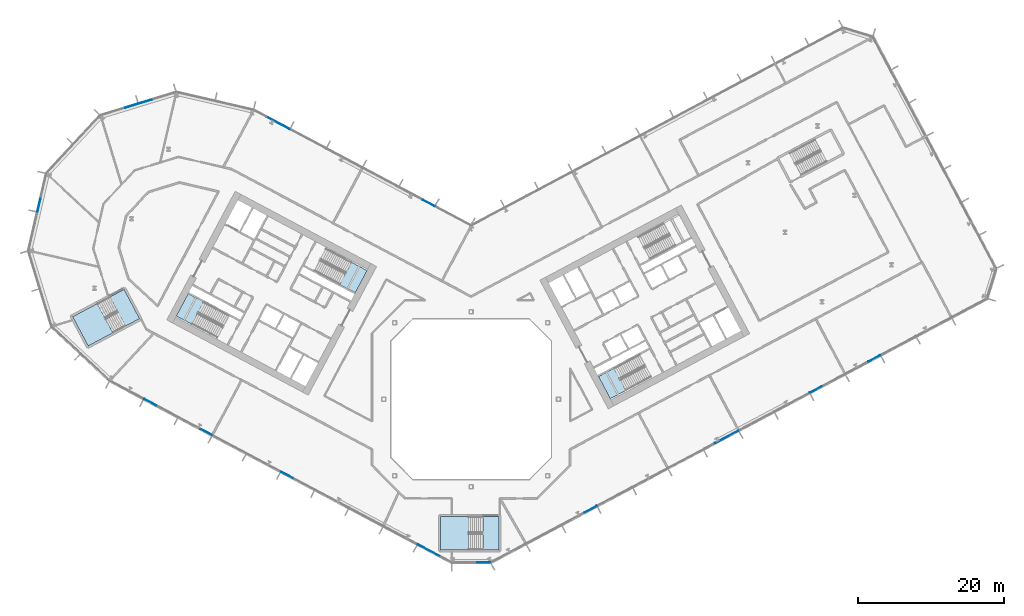
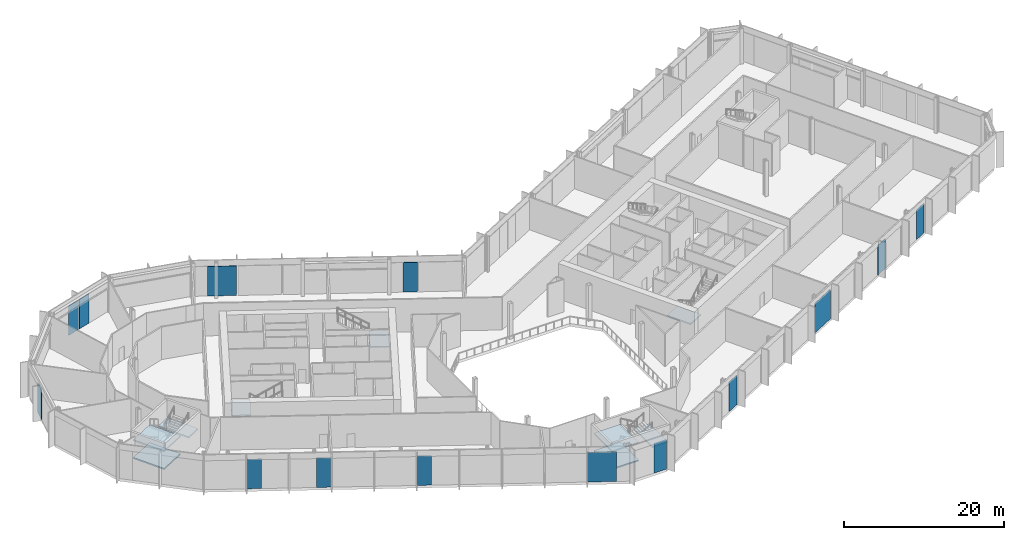
# One storey, part 9 of 31: 14 plates, 9 slabs, 11 elements without a shape of their own.
"""IFC4 building model written with IfcOpenShell, lengths in metres."""

from ifc_helpers import new_model, si_unit, direction, frame, origin, origin_2d, place, context, subcontext, project, spatial, polyline, rectangle, outline, extrude, material, layer, layer_set, type_object, element, aggregate, save


model = new_model("IFC4")

# Units and contexts
model_context = context("Model", 3, precision=1e-05, world=origin(), true_north=direction((0.0, 1.0)))
body_context = subcontext(model_context, "Body", "Model", "MODEL_VIEW")
ifc_project = project(units=[si_unit("LENGTHUNIT", "METRE"), si_unit("AREAUNIT", "SQUARE_METRE"), si_unit("VOLUMEUNIT", "CUBIC_METRE"), si_unit("PLANEANGLEUNIT", "RADIAN"), si_unit("MASSUNIT", "GRAM", prefix="KILO")], contexts=[model_context])

# Site, building, storey
site_placement = place(None, origin())
site = spatial("IfcSite", under=ifc_project, at=site_placement, CompositionType="ELEMENT")
building_placement = place(site_placement, origin())
building = spatial("IfcBuilding", under=site, at=building_placement, Name="Cormorant Relay Tower", CompositionType="ELEMENT")
storey_placement = place(building_placement, frame((0.0, 0.0, 50.0)))
storey = spatial("IfcBuildingStorey", under=building, at=storey_placement, Name="L09", CompositionType="ELEMENT", Elevation=50.0)

# Curtain wall, plate
ifc_material_1 = material(Name="Aluminium 6063-T6 anodised bronze", Category="aluminium")
ifc_layer_1 = layer(ifc_material_1, 0.235107421875)
ifc_layer_set_1 = layer_set([ifc_layer_1], Name="CW6 data hall curtain wall with mineral wool panels")
curtain_wall_type = type_object("IfcCurtainWallType", Name="CW6 data hall curtain wall with mineral wool panels", PredefinedType="NOTDEFINED", material=ifc_layer_set_1)
curtain_wall_1_placement = place(storey_placement, origin())
curtain_wall_1 = element("IfcCurtainWall", 1, at=curtain_wall_1_placement, inside=storey, type_object=curtain_wall_type, Name="CW6 curtain wall 1", PredefinedType="NOTDEFINED")
ifc_material_2 = material(Name="Tinted triple-glazed laminated unit")
ifc_layer_2 = layer(ifc_material_2, 0.074951171875)
ifc_layer_set_2 = layer_set([ifc_layer_2], Name="CW6 triple-glazed vision unit 1800 module")
plate_type_1 = type_object("IfcPlateType", Name="CW6 triple-glazed vision unit 1800 module", PredefinedType="CURTAIN_PANEL", material=ifc_layer_set_2)
plate_1_placement = place(storey_placement, frame((1.748779296875, -22.4130859375, 0.0), z_axis=(0.0, 0.0, 1.0), x_axis=(1.0, 0.0, 0.0)))
plate_1 = element("IfcPlate", 2, at=plate_1_placement, type_object=plate_type_1, Name="CW6 panel V01", PredefinedType="CURTAIN_PANEL", context=body_context, shape_type="SweptSolid", body=[
    extrude(rectangle(XDim=1.800048828125, YDim=0.074951171875, at=origin_2d()), origin(), (0.0, 0.0, 1.0), 4.5),
])
aggregate(curtain_wall_1, [plate_1])

# Curtain wall, plates
curtain_wall_2_placement = place(storey_placement, origin())
curtain_wall_2 = element("IfcCurtainWall", 3, at=curtain_wall_2_placement, inside=storey, type_object=curtain_wall_type, Name="CW6 curtain wall 2", PredefinedType="NOTDEFINED")
plate_2_placement = place(storey_placement, frame((16.405517578125, -15.103515625, 0.0), z_axis=(0.0, 0.0, 1.0), x_axis=(0.882947592859, 0.469471562786, 0.0)))
plate_2 = element("IfcPlate", 4, at=plate_2_placement, type_object=plate_type_1, Name="CW6 panel V02", PredefinedType="CURTAIN_PANEL", context=body_context, shape_type="SweptSolid", body=[
    extrude(rectangle(XDim=1.800048828125, YDim=0.074951171875, at=origin_2d()), origin(), (0.0, 0.0, 1.0), 4.5),
])
plate_3_placement = place(storey_placement, frame((47.327392578125, 1.337890625, 0.0), z_axis=(0.0, 0.0, 1.0), x_axis=(0.882947592859, 0.469471562786, 0.0)))
plate_3 = element("IfcPlate", 5, at=plate_3_placement, type_object=plate_type_1, Name="CW6 panel V09", PredefinedType="CURTAIN_PANEL", context=body_context, shape_type="SweptSolid", body=[
    extrude(rectangle(XDim=1.800048828125, YDim=0.074951171875, at=origin_2d()), origin(), (0.0, 0.0, 1.0), 4.5),
])
plate_4_placement = place(storey_placement, frame((55.339111328125, 5.597900390625, 0.0), z_axis=(0.0, 0.0, 1.0), x_axis=(0.882947592859, 0.469471562786, 0.0)))
plate_4 = element("IfcPlate", 6, at=plate_4_placement, type_object=plate_type_1, Name="CW6 panel V11", PredefinedType="CURTAIN_PANEL", context=body_context, shape_type="SweptSolid", body=[
    extrude(rectangle(XDim=1.800048828125, YDim=0.074951171875, at=origin_2d()), origin(), (0.0, 0.0, 1.0), 4.5),
])

# Curtain wall, plate
curtain_wall_3_placement = place(storey_placement, origin())
curtain_wall_3 = element("IfcCurtainWall", 7, at=curtain_wall_3_placement, inside=storey, type_object=curtain_wall_type, Name="CW6 curtain wall 7", PredefinedType="NOTDEFINED")
plate_5_placement = place(storey_placement, frame((-5.822265625, 26.922119140625, 0.0), z_axis=(0.0, 0.0, 1.0), x_axis=(-0.882947592859, 0.469471562786, 0.0)))
plate_5 = element("IfcPlate", 8, at=plate_5_placement, type_object=plate_type_1, Name="CW6 panel V01", PredefinedType="CURTAIN_PANEL", context=body_context, shape_type="SweptSolid", body=[
    extrude(rectangle(XDim=1.800048828125, YDim=0.074951171875, at=origin_2d()), origin(), (0.0, 0.0, 1.0), 4.5),
])

# Curtain wall, plates
curtain_wall_4_placement = place(storey_placement, origin())
curtain_wall_4 = element("IfcCurtainWall", 9, at=curtain_wall_4_placement, inside=storey, type_object=curtain_wall_type, Name="CW6 curtain wall 9", PredefinedType="NOTDEFINED")
plate_6_placement = place(storey_placement, frame((-44.74169921875, 40.84521484375, 0.0), z_axis=(0.0, 0.0, 1.0), x_axis=(-0.956304755963, -0.292371704723, 0.0)))
plate_6 = element("IfcPlate", 10, at=plate_6_placement, type_object=plate_type_1, Name="CW6 panel V01", PredefinedType="CURTAIN_PANEL", context=body_context, shape_type="SweptSolid", body=[
    extrude(rectangle(XDim=1.800048828125, YDim=0.074951171875, at=origin_2d()), origin(), (0.0, 0.0, 1.0), 4.5),
])
plate_7_placement = place(storey_placement, frame((-46.606689453125, 40.275146484375, 0.0), z_axis=(0.0, 0.0, 1.0), x_axis=(-0.956304755963, -0.292371704723, 0.0)))
plate_7 = element("IfcPlate", 11, at=plate_7_placement, type_object=plate_type_1, Name="CW6 panel V02", PredefinedType="CURTAIN_PANEL", context=body_context, shape_type="SweptSolid", body=[
    extrude(rectangle(XDim=1.800048828125, YDim=0.074951171875, at=origin_2d()), origin(), (0.0, 0.0, 1.0), 4.5),
])
aggregate(curtain_wall_4, [plate_6, plate_7])

# Curtain wall, plate
curtain_wall_5_placement = place(storey_placement, origin())
curtain_wall_5 = element("IfcCurtainWall", 12, at=curtain_wall_5_placement, inside=storey, type_object=curtain_wall_type, Name="CW6 curtain wall 11", PredefinedType="NOTDEFINED")
plate_8_placement = place(storey_placement, frame((-59.314453125, 26.647705078125, 0.0), z_axis=(0.0, 0.0, 1.0), x_axis=(-0.224951054344, -0.974370064785, 0.0)))
plate_8 = element("IfcPlate", 13, at=plate_8_placement, type_object=plate_type_1, Name="CW6 panel V01", PredefinedType="CURTAIN_PANEL", context=body_context, shape_type="SweptSolid", body=[
    extrude(rectangle(XDim=1.800048828125, YDim=0.074951171875, at=origin_2d()), origin(), (0.0, 0.0, 1.0), 4.5),
])
aggregate(curtain_wall_5, [plate_8])

# Curtain wall, plates
curtain_wall_6_placement = place(storey_placement, origin())
curtain_wall_6 = element("IfcCurtainWall", 14, at=curtain_wall_6_placement, inside=storey, type_object=curtain_wall_type, Name="CW6 curtain wall 14", PredefinedType="NOTDEFINED")
plate_9_placement = place(storey_placement, frame((-44.053955078125, -0.402587890625, 0.0), z_axis=(0.0, 0.0, 1.0), x_axis=(0.882947592859, -0.469471562786, 0.0)))
plate_9 = element("IfcPlate", 15, at=plate_9_placement, type_object=plate_type_1, Name="CW6 panel V01", PredefinedType="CURTAIN_PANEL", context=body_context, shape_type="SweptSolid", body=[
    extrude(rectangle(XDim=1.800048828125, YDim=0.074951171875, at=origin_2d()), origin(), (0.0, 0.0, 1.0), 4.5),
])
plate_10_placement = place(storey_placement, frame((-36.38720703125, -4.47900390625, 0.0), z_axis=(0.0, 0.0, 1.0), x_axis=(0.882947592859, -0.469471562786, 0.0)))
plate_10 = element("IfcPlate", 16, at=plate_10_placement, type_object=plate_type_1, Name="CW6 panel V03", PredefinedType="CURTAIN_PANEL", context=body_context, shape_type="SweptSolid", body=[
    extrude(rectangle(XDim=1.800048828125, YDim=0.074951171875, at=origin_2d()), origin(), (0.0, 0.0, 1.0), 4.5),
])
plate_11_placement = place(storey_placement, frame((-25.27685546875, -10.386474609375, 0.0), z_axis=(0.0, 0.0, 1.0), x_axis=(0.882947592859, -0.469471562786, 0.0)))
plate_11 = element("IfcPlate", 17, at=plate_11_placement, type_object=plate_type_1, Name="CW6 panel V05", PredefinedType="CURTAIN_PANEL", context=body_context, shape_type="SweptSolid", body=[
    extrude(rectangle(XDim=1.800048828125, YDim=0.074951171875, at=origin_2d()), origin(), (0.0, 0.0, 1.0), 4.5),
])

# Plate
ifc_material_3 = material(Name="Tinted triple-glazed laminated unit")
ifc_layer_3 = layer(ifc_material_3, 0.074951171875)
ifc_layer_set_3 = layer_set([ifc_layer_3], Name="CW6 triple-glazed vision unit 3600 module")
plate_type_2 = type_object("IfcPlateType", Name="CW6 triple-glazed vision unit 3600 module", PredefinedType="CURTAIN_PANEL", material=ifc_layer_set_3)
plate_12_placement = place(storey_placement, frame((35.07763671875, -5.17529296875, 0.0), z_axis=(0.0, 0.0, 1.0), x_axis=(0.882947592859, 0.469471562786, 0.0)))
plate_12 = element("IfcPlate", 18, at=plate_12_placement, type_object=plate_type_2, Name="CW6 panel V06", PredefinedType="CURTAIN_PANEL", context=body_context, shape_type="SweptSolid", body=[
    extrude(rectangle(XDim=3.60009765625, YDim=0.074951171875, at=origin_2d()), origin(), (0.0, 0.0, 1.0), 4.5),
])

aggregate(curtain_wall_2, [plate_2, plate_12, plate_3, plate_4])

plate_13_placement = place(storey_placement, frame((-26.53271484375, 37.93408203125, 0.0), z_axis=(0.0, 0.0, 1.0), x_axis=(-0.882947592859, 0.469471562786, 0.0)))
plate_13 = element("IfcPlate", 19, at=plate_13_placement, type_object=plate_type_2, Name="CW6 panel V05", PredefinedType="CURTAIN_PANEL", context=body_context, shape_type="SweptSolid", body=[
    extrude(rectangle(XDim=3.60009765625, YDim=0.074951171875, at=origin_2d()), origin(), (0.0, 0.0, 1.0), 4.5),
])

aggregate(curtain_wall_3, [plate_5, plate_13])

plate_14_placement = place(storey_placement, frame((-5.705078125, -20.79296875, 0.0), z_axis=(0.0, 0.0, 1.0), x_axis=(0.882947592859, -0.469471562786, 0.0)))
plate_14 = element("IfcPlate", 20, at=plate_14_placement, type_object=plate_type_2, Name="CW6 panel V08", PredefinedType="CURTAIN_PANEL", context=body_context, shape_type="SweptSolid", body=[
    extrude(rectangle(XDim=3.60009765625, YDim=0.074951171875, at=origin_2d()), origin(), (0.0, 0.0, 1.0), 4.5),
])

aggregate(curtain_wall_6, [plate_9, plate_10, plate_11, plate_14])

# Stair, slab
ifc_material_4 = material(Name="Concrete 40 MPa", Category="concrete")
stair_type_1 = type_object("IfcStairType", Name="Exit stair 1500", PredefinedType="HALF_TURN_STAIR", material=ifc_material_4)
stair_1_placement = place(storey_placement, origin())
stair_1 = element("IfcStair", 21, at=stair_1_placement, inside=storey, type_object=stair_type_1, Name="L09 Stair", PredefinedType="HALF_TURN_STAIR")
ifc_material_5 = material(Name="Concrete 40 MPa", Category="concrete")
ifc_layer_4 = layer(ifc_material_5, 0.199951171875)
ifc_layer_set_4 = layer_set([ifc_layer_4], Name="Exit stair landing 200")
slab_type = type_object("IfcSlabType", Name="Exit stair landing 200", PredefinedType="LANDING", material=ifc_layer_set_4)
slab_1_placement = place(storey_placement, frame((0.0, 0.0, 2.5)))
slab_1 = element("IfcSlab", 22, at=slab_1_placement, type_object=slab_type, Name="A1 landing 1", PredefinedType="LANDING", context=body_context, shape_type="SweptSolid", body=[
    extrude(outline(polyline([(-18.04052734375, 15.764892578125), (-15.89501953125, 14.6240234375), (-14.275390625, 17.670166015625), (-16.4208984375, 18.81103515625), (-18.04052734375, 15.764892578125)])), origin(), (0.0, 0.0, 1.0), 0.199951171875),
])
aggregate(stair_1, [slab_1])

stair_2_placement = place(storey_placement, origin())
stair_2 = element("IfcStair", 23, at=stair_2_placement, inside=storey, type_object=stair_type_1, Name="L09 Stair", PredefinedType="HALF_TURN_STAIR")
slab_2_placement = place(storey_placement, frame((0.0, 0.0, 2.5)))
slab_2 = element("IfcSlab", 24, at=slab_2_placement, type_object=slab_type, Name="A2 landing 1", PredefinedType="LANDING", context=body_context, shape_type="SweptSolid", body=[
    extrude(outline(polyline([(-36.7021484375, 13.34228515625), (-38.84765625, 14.483154296875), (-40.467529296875, 11.43701171875), (-38.32177734375, 10.296142578125), (-36.7021484375, 13.34228515625)])), origin(), (0.0, 0.0, 1.0), 0.199951171875),
])
aggregate(stair_2, [slab_2])

stair_3_placement = place(storey_placement, origin())
stair_3 = element("IfcStair", 25, at=stair_3_placement, inside=storey, type_object=stair_type_1, Name="L09 Stair", PredefinedType="HALF_TURN_STAIR")
slab_3_placement = place(storey_placement, frame((0.0, 0.0, 2.5)))
slab_3 = element("IfcSlab", 26, at=slab_3_placement, type_object=slab_type, Name="B1 landing 1", PredefinedType="LANDING", context=body_context, shape_type="SweptSolid", body=[
    extrude(outline(polyline([(19.6259765625, 4.262939453125), (17.48046875, 3.1220703125), (19.10009765625, 0.075927734375), (21.24560546875, 1.216552734375), (19.6259765625, 4.262939453125)])), origin(), (0.0, 0.0, 1.0), 0.199951171875),
])
aggregate(stair_3, [slab_3])

# Stair, slabs
ifc_material_6 = material(Name="Concrete 40 MPa", Category="concrete")
stair_type_2 = type_object("IfcStairType", Name="Remote exit stair 2200", PredefinedType="HALF_TURN_STAIR", material=ifc_material_6)
stair_4_placement = place(storey_placement, origin())
stair_4 = element("IfcStair", 27, at=stair_4_placement, inside=storey, type_object=stair_type_2, Name="L09 Stair", PredefinedType="HALF_TURN_STAIR")
slab_4_placement = place(storey_placement, frame((0.0, 0.0, 1.14990234375)))
slab_4 = element("IfcSlab", 28, at=slab_4_placement, type_object=slab_type, Name="RK1 landing 1", PredefinedType="LANDING", context=body_context, shape_type="SweptSolid", body=[
    extrude(outline(polyline([(-0.360107421875, -16.125), (-4.199951171875, -16.125), (-4.199951171875, -20.675048828125), (-0.360107421875, -20.675048828125), (-0.360107421875, -16.125)])), origin(), (0.0, 0.0, 1.0), 0.2001953125),
])
slab_5_placement = place(storey_placement, frame((0.0, 0.0, 2.5)))
slab_5 = element("IfcSlab", 29, at=slab_5_placement, type_object=slab_type, Name="RK1 landing 2", PredefinedType="LANDING", context=body_context, shape_type="SweptSolid", body=[
    extrude(outline(polyline([(3.800048828125, -16.125), (1.60009765625, -16.125), (1.60009765625, -20.675048828125), (3.800048828125, -20.675048828125), (3.800048828125, -16.125)])), origin(), (0.0, 0.0, 1.0), 0.199951171875),
])
slab_6_placement = place(storey_placement, frame((0.0, 0.0, 3.85009765625)))
slab_6 = element("IfcSlab", 30, at=slab_6_placement, type_object=slab_type, Name="RK1 landing 3", PredefinedType="LANDING", context=body_context, shape_type="SweptSolid", body=[
    extrude(outline(polyline([(-0.360107421875, -16.125), (-4.199951171875, -16.125), (-4.199951171875, -20.675048828125), (-0.360107421875, -20.675048828125), (-0.360107421875, -16.125)])), origin(), (0.0, 0.0, 1.0), 0.199951171875),
])
aggregate(stair_4, [slab_4, slab_5, slab_6])

stair_5_placement = place(storey_placement, origin())
stair_5 = element("IfcStair", 31, at=stair_5_placement, inside=storey, type_object=stair_type_2, Name="L09 Stair", PredefinedType="HALF_TURN_STAIR")
slab_7_placement = place(storey_placement, frame((0.0, 0.0, 1.14990234375)))
slab_7 = element("IfcSlab", 32, at=slab_7_placement, type_object=slab_type, Name="RP1 landing 1", PredefinedType="LANDING", context=body_context, shape_type="SweptSolid", body=[
    extrude(outline(polyline([(-51.309326171875, 13.133544921875), (-54.699951171875, 11.330810546875), (-52.563720703125, 7.3134765625), (-49.17333984375, 9.1162109375), (-51.309326171875, 13.133544921875)])), origin(), (0.0, 0.0, 1.0), 0.2001953125),
])
slab_8_placement = place(storey_placement, frame((0.0, 0.0, 2.5)))
slab_8 = element("IfcSlab", 33, at=slab_8_placement, type_object=slab_type, Name="RP1 landing 2", PredefinedType="LANDING", context=body_context, shape_type="SweptSolid", body=[
    extrude(outline(polyline([(-47.63623046875, 15.086669921875), (-49.578857421875, 14.0537109375), (-47.442626953125, 10.036376953125), (-45.500244140625, 11.069091796875), (-47.63623046875, 15.086669921875)])), origin(), (0.0, 0.0, 1.0), 0.199951171875),
])
slab_9_placement = place(storey_placement, frame((0.0, 0.0, 3.85009765625)))
slab_9 = element("IfcSlab", 34, at=slab_9_placement, type_object=slab_type, Name="RP1 landing 3", PredefinedType="LANDING", context=body_context, shape_type="SweptSolid", body=[
    extrude(outline(polyline([(-51.309326171875, 13.133544921875), (-54.699951171875, 11.330810546875), (-52.563720703125, 7.3134765625), (-49.17333984375, 9.1162109375), (-51.309326171875, 13.133544921875)])), origin(), (0.0, 0.0, 1.0), 0.199951171875),
])
aggregate(stair_5, [slab_7, slab_8, slab_9])

save(model, "model.ifc")
